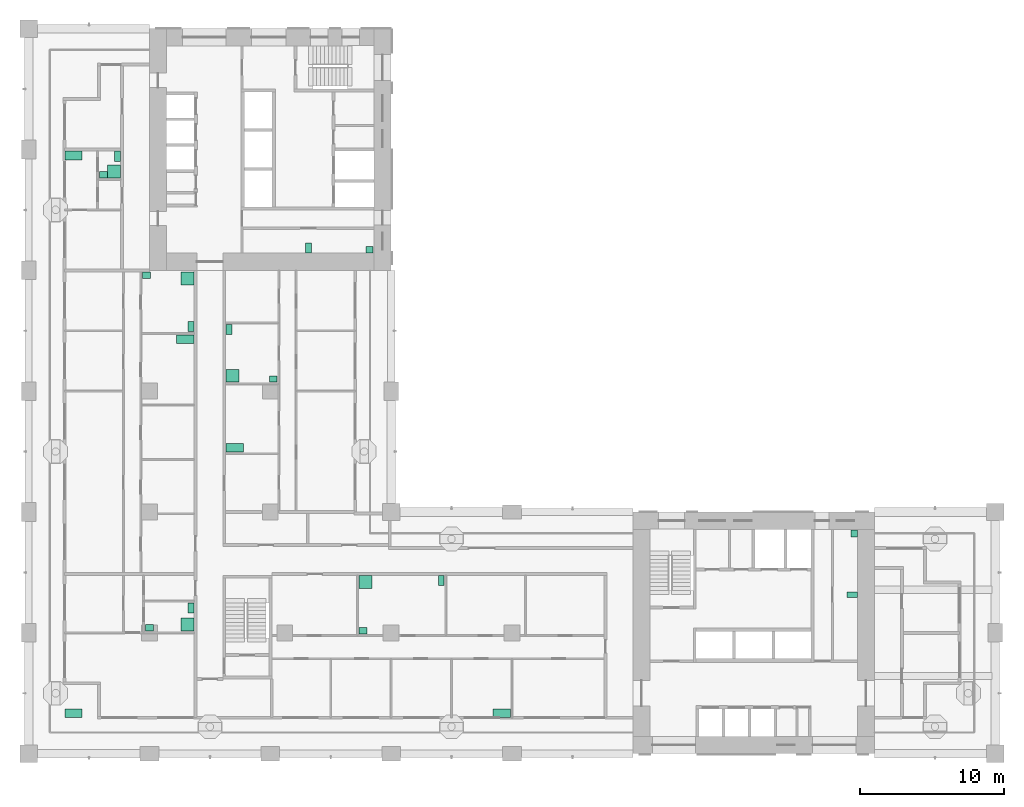
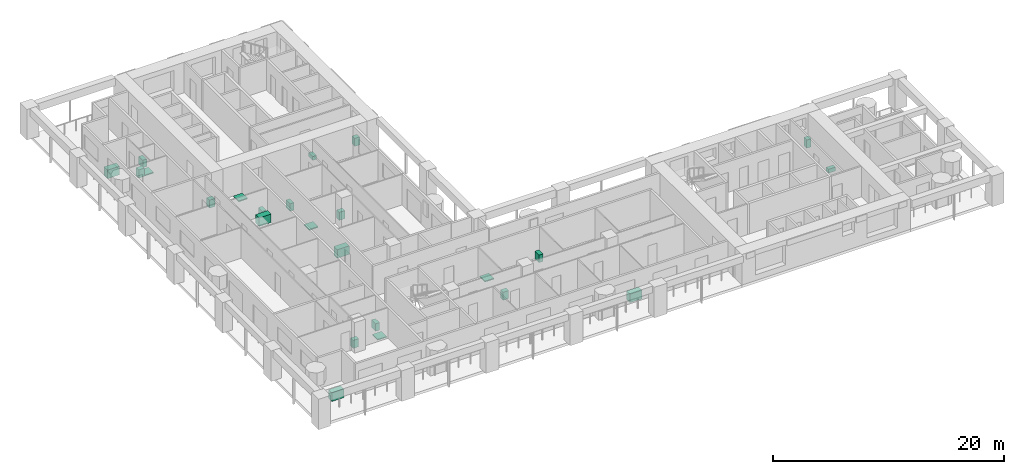
# One storey, part 16 of 18: 24 sanitary terminals.
"""IFC4 building model written with IfcOpenShell, lengths in metres."""

from ifc_helpers import new_model, si_unit, direction, frame, origin, origin_2d, place, context, subcontext, project, spatial, rectangle, extrude, material, element, save


model = new_model("IFC4")

# Units and contexts
model_context = context("Model", 3, precision=1e-05, world=origin(), true_north=direction((0.0, 1.0)))
body_context = subcontext(model_context, "Body", "Model", "MODEL_VIEW")
ifc_project = project(units=[si_unit("LENGTHUNIT", "METRE"), si_unit("AREAUNIT", "SQUARE_METRE"), si_unit("VOLUMEUNIT", "CUBIC_METRE"), si_unit("PLANEANGLEUNIT", "RADIAN"), si_unit("MASSUNIT", "GRAM", prefix="KILO")], contexts=[model_context])

# Site, building, storey
site_placement = place(None, origin())
site = spatial("IfcSite", under=ifc_project, at=site_placement, CompositionType="ELEMENT")
building_placement = place(site_placement, origin())
building = spatial("IfcBuilding", under=site, at=building_placement, Name="Vermilion Gate Residences", CompositionType="ELEMENT")
storey_placement = place(building_placement, frame((0.0, 0.0, 109.199951171875)))
storey = spatial("IfcBuildingStorey", under=building, at=storey_placement, Name="L27", CompositionType="ELEMENT", Elevation=109.199951171875)

# Sanitary terminals
ifc_material_1 = material(Name="Vitreous china")
sanitary_terminal_1_placement = place(storey_placement, frame((57.25, 19.449951171875, 0.0), z_axis=(0.0, 0.0, 1.0), x_axis=(1.0, 0.0, 0.0)))
element("IfcSanitaryTerminal", 1, at=sanitary_terminal_1_placement, inside=storey, material=ifc_material_1, Name="Toilet pan A27", PredefinedType="TOILETPAN", context=body_context, shape_type="SweptSolid", body=[
    extrude(rectangle(XDim=0.699951171875, YDim=0.39990234375, at=origin_2d()), origin(), (0.0, 0.0, 1.0), 0.39990234375),
])
sanitary_terminal_2_placement = place(storey_placement, frame((57.375, 23.699951171875, 0.0), z_axis=(0.0, 0.0, 1.0), x_axis=(1.0, 0.0, 0.0)))
element("IfcSanitaryTerminal", 2, at=sanitary_terminal_2_placement, inside=storey, material=ifc_material_1, Name="Washbasin A27", PredefinedType="WASHHANDBASIN", context=body_context, shape_type="SweptSolid", body=[
    extrude(rectangle(XDim=0.449951171875, YDim=0.5, at=origin_2d()), origin(), (0.0, 0.0, 1.0), 0.85009765625),
])
sanitary_terminal_3_placement = place(storey_placement, frame((19.449951171875, 43.550048828125, 0.0), z_axis=(0.0, 0.0, 1.0), x_axis=(1.0, 0.0, 0.0)))
element("IfcSanitaryTerminal", 3, at=sanitary_terminal_3_placement, inside=storey, material=ifc_material_1, Name="Toilet pan B27", PredefinedType="TOILETPAN", context=body_context, shape_type="SweptSolid", body=[
    extrude(rectangle(XDim=0.39990234375, YDim=0.699951171875, at=origin_2d()), origin(), (0.0, 0.0, 1.0), 0.39990234375),
])
sanitary_terminal_4_placement = place(storey_placement, frame((23.699951171875, 43.425048828125, 0.0), z_axis=(0.0, 0.0, 1.0), x_axis=(1.0, 0.0, 0.0)))
element("IfcSanitaryTerminal", 4, at=sanitary_terminal_4_placement, inside=storey, material=ifc_material_1, Name="Washbasin B27", PredefinedType="WASHHANDBASIN", context=body_context, shape_type="SweptSolid", body=[
    extrude(rectangle(XDim=0.5, YDim=0.449951171875, at=origin_2d()), origin(), (0.0, 0.0, 1.0), 0.85009765625),
])
ifc_material_2 = material(Name="Stainless steel", Category="steel")
sanitary_terminal_5_placement = place(storey_placement, frame((3.1201171875, 11.219970703125, 0.0), z_axis=(0.0, 0.0, 1.0), x_axis=(1.0, 0.0, 0.0)))
element("IfcSanitaryTerminal", 5, at=sanitary_terminal_5_placement, inside=storey, material=ifc_material_2, Name="Kitchen sink", PredefinedType="SINK", context=body_context, shape_type="SweptSolid", body=[
    extrude(rectangle(XDim=1.199951171875, YDim=0.60009765625, at=origin_2d()), origin(), (0.0, 0.0, 1.0), 0.89990234375),
])
sanitary_terminal_6_placement = place(storey_placement, frame((11.030029296875, 17.3701171875, 0.0), z_axis=(0.0, 0.0, 1.0), x_axis=(1.0, 0.0, 0.0)))
element("IfcSanitaryTerminal", 6, at=sanitary_terminal_6_placement, inside=storey, material=ifc_material_1, Name="Shower tray", PredefinedType="SHOWER", context=body_context, shape_type="SweptSolid", body=[
    extrude(rectangle(XDim=0.89990234375, YDim=0.89990234375, at=origin_2d()), origin(), (0.0, 0.0, 1.0), 0.10009765625),
])
sanitary_terminal_7_placement = place(storey_placement, frame((11.280029296875, 18.530029296875, 0.0), z_axis=(0.0, 0.0, 1.0), x_axis=(1.0, 0.0, 0.0)))
element("IfcSanitaryTerminal", 7, at=sanitary_terminal_7_placement, inside=storey, material=ifc_material_1, Name="Toilet", PredefinedType="TOILETPAN", context=body_context, shape_type="SweptSolid", body=[
    extrude(rectangle(XDim=0.39990234375, YDim=0.699951171875, at=origin_2d()), origin(), (0.0, 0.0, 1.0), 0.800048828125),
])
sanitary_terminal_8_placement = place(storey_placement, frame((8.39501953125, 17.14501953125, 0.0), z_axis=(0.0, 0.0, 1.0), x_axis=(1.0, 0.0, 0.0)))
element("IfcSanitaryTerminal", 8, at=sanitary_terminal_8_placement, inside=storey, material=ifc_material_1, Name="Wash basin", PredefinedType="WASHHANDBASIN", context=body_context, shape_type="SweptSolid", body=[
    extrude(rectangle(XDim=0.550048828125, YDim=0.449951171875, at=origin_2d()), origin(), (0.0, 0.0, 1.0), 0.85009765625),
])
sanitary_terminal_9_placement = place(storey_placement, frame((32.8798828125, 11.219970703125, 0.0), z_axis=(0.0, 0.0, 1.0), x_axis=(1.0, 0.0, 0.0)))
element("IfcSanitaryTerminal", 9, at=sanitary_terminal_9_placement, inside=storey, material=ifc_material_2, Name="Kitchen sink", PredefinedType="SINK", context=body_context, shape_type="SweptSolid", body=[
    extrude(rectangle(XDim=1.199951171875, YDim=0.60009765625, at=origin_2d()), origin(), (0.0, 0.0, 1.0), 0.89990234375),
])
sanitary_terminal_10_placement = place(storey_placement, frame((23.419921875, 20.330078125, 0.0), z_axis=(0.0, 0.0, 1.0), x_axis=(1.0, 0.0, 0.0)))
element("IfcSanitaryTerminal", 10, at=sanitary_terminal_10_placement, inside=storey, material=ifc_material_1, Name="Shower tray", PredefinedType="SHOWER", context=body_context, shape_type="SweptSolid", body=[
    extrude(rectangle(XDim=0.89990234375, YDim=0.89990234375, at=origin_2d()), origin(), (0.0, 0.0, 1.0), 0.10009765625),
])
sanitary_terminal_11_placement = place(storey_placement, frame((28.679931640625, 20.429931640625, 0.0), z_axis=(0.0, 0.0, 1.0), x_axis=(1.0, 0.0, 0.0)))
element("IfcSanitaryTerminal", 11, at=sanitary_terminal_11_placement, inside=storey, material=ifc_material_1, Name="Toilet", PredefinedType="TOILETPAN", context=body_context, shape_type="SweptSolid", body=[
    extrude(rectangle(XDim=0.39990234375, YDim=0.699951171875, at=origin_2d()), origin(), (0.0, 0.0, 1.0), 0.800048828125),
])
sanitary_terminal_12_placement = place(storey_placement, frame((23.2451171875, 16.945068359375, 0.0), z_axis=(0.0, 0.0, 1.0), x_axis=(1.0, 0.0, 0.0)))
element("IfcSanitaryTerminal", 12, at=sanitary_terminal_12_placement, inside=storey, material=ifc_material_1, Name="Wash basin", PredefinedType="WASHHANDBASIN", context=body_context, shape_type="SweptSolid", body=[
    extrude(rectangle(XDim=0.550048828125, YDim=0.449951171875, at=origin_2d()), origin(), (0.0, 0.0, 1.0), 0.85009765625),
])
sanitary_terminal_13_placement = place(storey_placement, frame((10.8798828125, 37.199951171875, 0.0), z_axis=(0.0, 0.0, 1.0), x_axis=(1.0, 0.0, 0.0)))
element("IfcSanitaryTerminal", 13, at=sanitary_terminal_13_placement, inside=storey, material=ifc_material_2, Name="Kitchen sink", PredefinedType="SINK", context=body_context, shape_type="SweptSolid", body=[
    extrude(rectangle(XDim=1.199951171875, YDim=0.60009765625, at=origin_2d()), origin(), (0.0, 0.0, 1.0), 0.89990234375),
])
sanitary_terminal_14_placement = place(storey_placement, frame((11.030029296875, 41.429931640625, 0.0), z_axis=(0.0, 0.0, 1.0), x_axis=(1.0, 0.0, 0.0)))
element("IfcSanitaryTerminal", 14, at=sanitary_terminal_14_placement, inside=storey, material=ifc_material_1, Name="Shower tray", PredefinedType="SHOWER", context=body_context, shape_type="SweptSolid", body=[
    extrude(rectangle(XDim=0.89990234375, YDim=0.89990234375, at=origin_2d()), origin(), (0.0, 0.0, 1.0), 0.10009765625),
])
sanitary_terminal_15_placement = place(storey_placement, frame((11.280029296875, 38.090087890625, 0.0), z_axis=(0.0, 0.0, 1.0), x_axis=(1.0, 0.0, 0.0)))
element("IfcSanitaryTerminal", 15, at=sanitary_terminal_15_placement, inside=storey, material=ifc_material_1, Name="Toilet", PredefinedType="TOILETPAN", context=body_context, shape_type="SweptSolid", body=[
    extrude(rectangle(XDim=0.39990234375, YDim=0.699951171875, at=origin_2d()), origin(), (0.0, 0.0, 1.0), 0.800048828125),
])
sanitary_terminal_16_placement = place(storey_placement, frame((8.195068359375, 41.655029296875, 0.0), z_axis=(0.0, 0.0, 1.0), x_axis=(1.0, 0.0, 0.0)))
element("IfcSanitaryTerminal", 16, at=sanitary_terminal_16_placement, inside=storey, material=ifc_material_1, Name="Wash basin", PredefinedType="WASHHANDBASIN", context=body_context, shape_type="SweptSolid", body=[
    extrude(rectangle(XDim=0.550048828125, YDim=0.449951171875, at=origin_2d()), origin(), (0.0, 0.0, 1.0), 0.85009765625),
])
sanitary_terminal_17_placement = place(storey_placement, frame((14.320068359375, 29.669921875, 0.0), z_axis=(0.0, 0.0, 1.0), x_axis=(1.0, 0.0, 0.0)))
element("IfcSanitaryTerminal", 17, at=sanitary_terminal_17_placement, inside=storey, material=ifc_material_2, Name="Kitchen sink", PredefinedType="SINK", context=body_context, shape_type="SweptSolid", body=[
    extrude(rectangle(XDim=1.199951171875, YDim=0.60009765625, at=origin_2d()), origin(), (0.0, 0.0, 1.0), 0.89990234375),
])
sanitary_terminal_18_placement = place(storey_placement, frame((14.169921875, 34.669921875, 0.0), z_axis=(0.0, 0.0, 1.0), x_axis=(1.0, 0.0, 0.0)))
element("IfcSanitaryTerminal", 18, at=sanitary_terminal_18_placement, inside=storey, material=ifc_material_1, Name="Shower tray", PredefinedType="SHOWER", context=body_context, shape_type="SweptSolid", body=[
    extrude(rectangle(XDim=0.89990234375, YDim=0.89990234375, at=origin_2d()), origin(), (0.0, 0.0, 1.0), 0.10009765625),
])
sanitary_terminal_19_placement = place(storey_placement, frame((13.919921875, 37.8798828125, 0.0), z_axis=(0.0, 0.0, 1.0), x_axis=(1.0, 0.0, 0.0)))
element("IfcSanitaryTerminal", 19, at=sanitary_terminal_19_placement, inside=storey, material=ifc_material_1, Name="Toilet", PredefinedType="TOILETPAN", context=body_context, shape_type="SweptSolid", body=[
    extrude(rectangle(XDim=0.39990234375, YDim=0.699951171875, at=origin_2d()), origin(), (0.0, 0.0, 1.0), 0.800048828125),
])
sanitary_terminal_20_placement = place(storey_placement, frame((17.0048828125, 34.445068359375, 0.0), z_axis=(0.0, 0.0, 1.0), x_axis=(1.0, 0.0, 0.0)))
element("IfcSanitaryTerminal", 20, at=sanitary_terminal_20_placement, inside=storey, material=ifc_material_1, Name="Wash basin", PredefinedType="WASHHANDBASIN", context=body_context, shape_type="SweptSolid", body=[
    extrude(rectangle(XDim=0.550048828125, YDim=0.449951171875, at=origin_2d()), origin(), (0.0, 0.0, 1.0), 0.85009765625),
])
sanitary_terminal_21_placement = place(storey_placement, frame((3.1201171875, 49.97998046875, 0.0), z_axis=(0.0, 0.0, 1.0), x_axis=(1.0, 0.0, 0.0)))
element("IfcSanitaryTerminal", 21, at=sanitary_terminal_21_placement, inside=storey, material=ifc_material_2, Name="Kitchen sink", PredefinedType="SINK", context=body_context, shape_type="SweptSolid", body=[
    extrude(rectangle(XDim=1.199951171875, YDim=0.60009765625, at=origin_2d()), origin(), (0.0, 0.0, 1.0), 0.89990234375),
])
sanitary_terminal_22_placement = place(storey_placement, frame((5.929931640625, 48.8701171875, 0.0), z_axis=(0.0, 0.0, 1.0), x_axis=(1.0, 0.0, 0.0)))
element("IfcSanitaryTerminal", 22, at=sanitary_terminal_22_placement, inside=storey, material=ifc_material_1, Name="Shower tray", PredefinedType="SHOWER", context=body_context, shape_type="SweptSolid", body=[
    extrude(rectangle(XDim=0.89990234375, YDim=0.89990234375, at=origin_2d()), origin(), (0.0, 0.0, 1.0), 0.10009765625),
])
sanitary_terminal_23_placement = place(storey_placement, frame((6.179931640625, 49.929931640625, 0.0), z_axis=(0.0, 0.0, 1.0), x_axis=(1.0, 0.0, 0.0)))
element("IfcSanitaryTerminal", 23, at=sanitary_terminal_23_placement, inside=storey, material=ifc_material_1, Name="Toilet", PredefinedType="TOILETPAN", context=body_context, shape_type="SweptSolid", body=[
    extrude(rectangle(XDim=0.39990234375, YDim=0.699951171875, at=origin_2d()), origin(), (0.0, 0.0, 1.0), 0.800048828125),
])
sanitary_terminal_24_placement = place(storey_placement, frame((5.195068359375, 48.64501953125, 0.0), z_axis=(0.0, 0.0, 1.0), x_axis=(1.0, 0.0, 0.0)))
element("IfcSanitaryTerminal", 24, at=sanitary_terminal_24_placement, inside=storey, material=ifc_material_1, Name="Wash basin", PredefinedType="WASHHANDBASIN", context=body_context, shape_type="SweptSolid", body=[
    extrude(rectangle(XDim=0.550048828125, YDim=0.449951171875, at=origin_2d()), origin(), (0.0, 0.0, 1.0), 0.85009765625),
])

save(model, "model.ifc")
